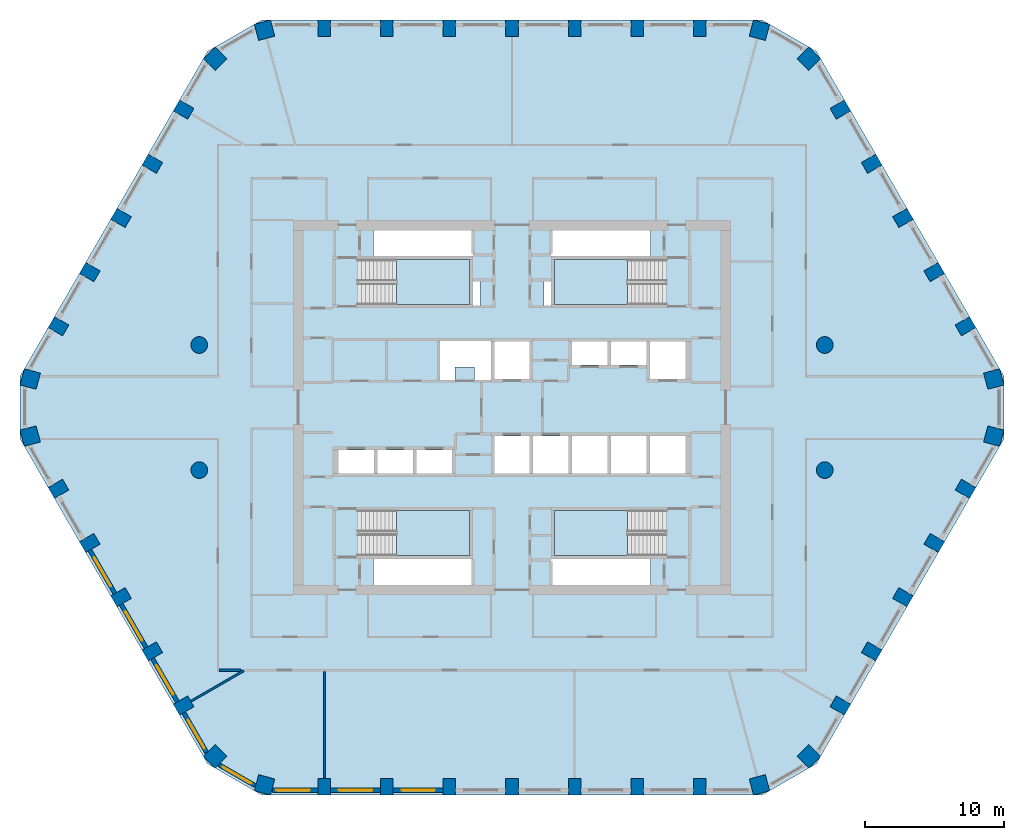
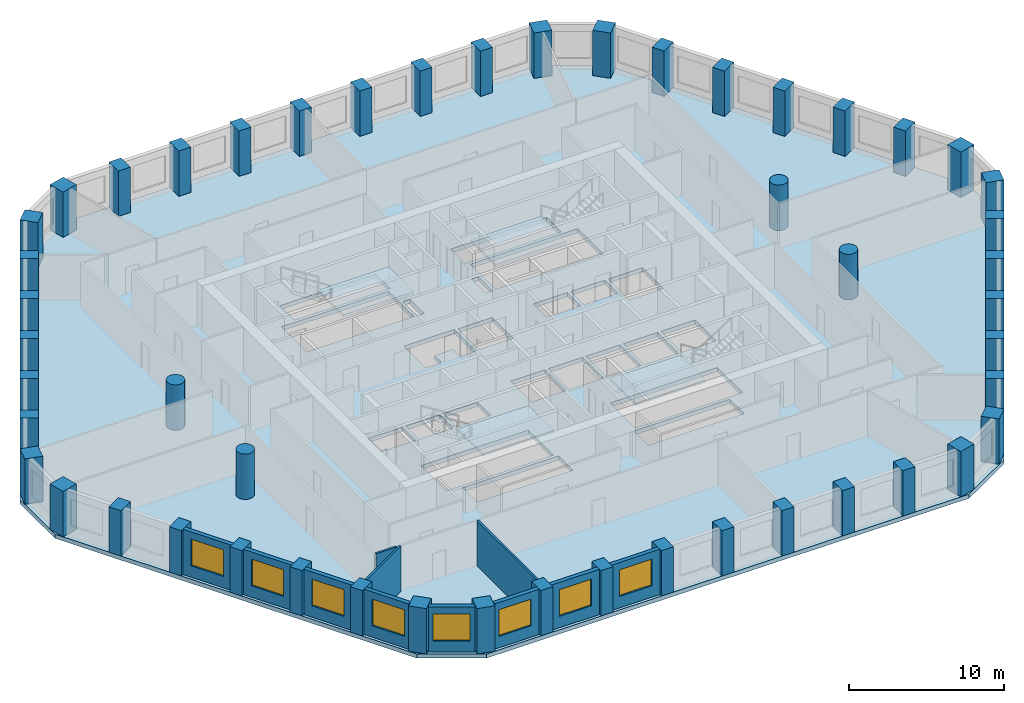
# One storey, part 1 of 10: 50 columns, 11 walls, 8 windows, 5 slabs, 8 openings, 4 elements without a shape of their own.
"""IFC4 building model written with IfcOpenShell, lengths in metres."""

from ifc_helpers import new_model, si_unit, direction, frame, frame_2d, origin, origin_2d, place, context, subcontext, project, spatial, polyline, rectangle, circle, outline, extrude, material, layer, layer_set, material_profile, profile_set, type_object, element, fill, aggregate, save


model = new_model("IFC4")

# Units and contexts
model_context = context("Model", 3, precision=1e-05, world=origin(), true_north=direction((0.0, 1.0)))
body_context = subcontext(model_context, "Body", "Model", "MODEL_VIEW")
ifc_project = project(units=[si_unit("LENGTHUNIT", "METRE"), si_unit("AREAUNIT", "SQUARE_METRE"), si_unit("VOLUMEUNIT", "CUBIC_METRE"), si_unit("PLANEANGLEUNIT", "RADIAN"), si_unit("MASSUNIT", "GRAM", prefix="KILO")], contexts=[model_context])

# Site, building, storey
site_placement = place(None, origin())
site = spatial("IfcSite", under=ifc_project, at=site_placement, CompositionType="ELEMENT")
building_placement = place(site_placement, origin())
building = spatial("IfcBuilding", under=site, at=building_placement, Name="Dhurran Vertical Campus", CompositionType="ELEMENT")
storey_placement = place(building_placement, frame((0.0, 0.0, 148.199951171875)))
storey = spatial("IfcBuildingStorey", under=building, at=storey_placement, Name="L36", CompositionType="ELEMENT", Elevation=148.199951171875)

# Columns
ifc_material_1 = material(Name="Concrete C60/75", Category="concrete")
ifc_material_profile_1 = material_profile(ifc_material_1, rectangle(XDim=1.199951171875, YDim=1.199951171875, at=origin_2d()), Name="RC 1200x1200")
ifc_profile_set_1 = profile_set([ifc_material_profile_1], Name="Concrete C60/75")
column_type_1 = type_object("IfcColumnType", Name="FR COL RC 1200x1200 C60/75", PredefinedType="COLUMN", material=ifc_profile_set_1)
for number, where, z_axis, x_axis, name in (
    (1, (-17.802978515625, -27.147705078125, 0.0), (0.0, 0.0, 1.0), (0.965925826289, -0.258819045103, 0.0), "Perimeter pier PP3.00"),
    (2, (17.802978515625, -27.147705078125, 0.0), (0.0, 0.0, 1.0), (0.965925826289, 0.258819045103, 0.0), "Perimeter pier PP3.08"),
    (3, (21.359130859375, -25.0947265625, 0.0), (0.0, 0.0, 1.0), (0.707106781187, 0.707106781187, 0.0), "Perimeter pier PP3.09"),
    (4, (34.662353515625, -2.052978515625, 0.0), (0.0, 0.0, 1.0), (0.258819045103, 0.965925826289, 0.0), "Perimeter pier PP3.15"),
    (5, (34.662353515625, 2.052978515625, 0.0), (0.0, 0.0, 1.0), (-0.258819045103, 0.965925826289, 0.0), "Perimeter pier PP3.16"),
    (6, (21.359130859375, 25.0947265625, 0.0), (0.0, 0.0, 1.0), (-0.707106781187, 0.707106781187, 0.0), "Perimeter pier PP3.22"),
    (7, (17.802978515625, 27.147705078125, 0.0), (0.0, 0.0, 1.0), (-0.965925826289, 0.258819045103, 0.0), "Perimeter pier PP3.23"),
    (8, (-17.802978515625, 27.147705078125, 0.0), (0.0, 0.0, 1.0), (-0.965925826289, -0.258819045103, 0.0), "Perimeter pier PP3.31"),
    (9, (-21.359130859375, 25.0947265625, 0.0), (0.0, 0.0, 1.0), (-0.707106781187, -0.707106781187, 0.0), "Perimeter pier PP3.32"),
    (10, (-34.662353515625, 2.052978515625, 0.0), (0.0, 0.0, 1.0), (-0.258819045103, -0.965925826289, 0.0), "Perimeter pier PP3.38"),
    (11, (-34.662353515625, -2.052978515625, 0.0), (0.0, 0.0, 1.0), (0.258819045103, -0.965925826289, 0.0), "Perimeter pier PP3.39"),
    (12, (-21.359130859375, -25.0947265625, 0.0), (0.0, 0.0, 1.0), (0.707106781187, -0.707106781187, 0.0), "Perimeter pier PP3.45"),
):
    element("IfcColumn", number, at=place(storey_placement, frame(where, z_axis=z_axis, x_axis=x_axis)), inside=storey, type_object=column_type_1, Name=name, PredefinedType="COLUMN", context=body_context, shape_type="SweptSolid", body=[
        extrude(rectangle(XDim=1.199951171875, YDim=1.199951171875, at=origin_2d()), origin(), (0.0, 0.0, 1.0), 3.574951171875),
    ])
ifc_material_2 = material(Name="Concrete C60/75", Category="concrete")
ifc_material_profile_2 = material_profile(ifc_material_2, rectangle(XDim=0.89990234375, YDim=1.199951171875, at=origin_2d()), Name="RC 900x1200")
ifc_profile_set_2 = profile_set([ifc_material_profile_2], Name="Concrete C60/75")
column_type_2 = type_object("IfcColumnType", Name="FR COL RC 900x1200 C60/75", PredefinedType="COLUMN", material=ifc_profile_set_2)
for number, where, z_axis, x_axis, name in (
    (13, (-13.5, -27.28271484375, 0.0), (0.0, 0.0, 1.0), (1.0, 0.0, 0.0), "Perimeter pier PP3.01"),
    (14, (-9.0, -27.28271484375, 0.0), (0.0, 0.0, 1.0), (1.0, 0.0, 0.0), "Perimeter pier PP3.02"),
    (15, (-4.5, -27.28271484375, 0.0), (0.0, 0.0, 1.0), (1.0, 0.0, 0.0), "Perimeter pier PP3.03"),
    (16, (0.0, -27.28271484375, 0.0), (0.0, 0.0, 1.0), (1.0, 0.0, 0.0), "Perimeter pier PP3.04"),
    (17, (4.5, -27.28271484375, 0.0), (0.0, 0.0, 1.0), (1.0, 0.0, 0.0), "Perimeter pier PP3.05"),
    (18, (9.0, -27.28271484375, 0.0), (0.0, 0.0, 1.0), (1.0, 0.0, 0.0), "Perimeter pier PP3.06"),
    (19, (13.5, -27.28271484375, 0.0), (0.0, 0.0, 1.0), (1.0, 0.0, 0.0), "Perimeter pier PP3.07"),
    (20, (23.62744140625, -21.435546875, 0.0), (0.0, 0.0, 1.0), (0.5, 0.866025403784, 0.0), "Perimeter pier PP3.10"),
    (21, (25.87744140625, -17.53857421875, 0.0), (0.0, 0.0, 1.0), (0.5, 0.866025403784, 0.0), "Perimeter pier PP3.11"),
    (22, (28.12744140625, -13.641357421875, 0.0), (0.0, 0.0, 1.0), (0.5, 0.866025403784, 0.0), "Perimeter pier PP3.12"),
    (23, (30.37744140625, -9.744140625, 0.0), (0.0, 0.0, 1.0), (0.5, 0.866025403784, 0.0), "Perimeter pier PP3.13"),
    (24, (32.62744140625, -5.84716796875, 0.0), (0.0, 0.0, 1.0), (0.5, 0.866025403784, 0.0), "Perimeter pier PP3.14"),
    (25, (32.62744140625, 5.84716796875, 0.0), (0.0, 0.0, 1.0), (-0.5, 0.866025403784, 0.0), "Perimeter pier PP3.17"),
    (26, (30.37744140625, 9.744140625, 0.0), (0.0, 0.0, 1.0), (-0.5, 0.866025403784, 0.0), "Perimeter pier PP3.18"),
    (27, (28.12744140625, 13.641357421875, 0.0), (0.0, 0.0, 1.0), (-0.5, 0.866025403784, 0.0), "Perimeter pier PP3.19"),
    (28, (25.87744140625, 17.53857421875, 0.0), (0.0, 0.0, 1.0), (-0.5, 0.866025403784, 0.0), "Perimeter pier PP3.20"),
    (29, (23.62744140625, 21.435546875, 0.0), (0.0, 0.0, 1.0), (-0.5, 0.866025403784, 0.0), "Perimeter pier PP3.21"),
    (30, (13.5, 27.28271484375, 0.0), (0.0, 0.0, 1.0), (-1.0, 0.0, 0.0), "Perimeter pier PP3.24"),
    (31, (9.0, 27.28271484375, 0.0), (0.0, 0.0, 1.0), (-1.0, 0.0, 0.0), "Perimeter pier PP3.25"),
    (32, (4.5, 27.28271484375, 0.0), (0.0, 0.0, 1.0), (-1.0, 0.0, 0.0), "Perimeter pier PP3.26"),
    (33, (0.0, 27.28271484375, 0.0), (0.0, 0.0, 1.0), (-1.0, 0.0, 0.0), "Perimeter pier PP3.27"),
    (34, (-4.5, 27.28271484375, 0.0), (0.0, 0.0, 1.0), (-1.0, 0.0, 0.0), "Perimeter pier PP3.28"),
    (35, (-9.0, 27.28271484375, 0.0), (0.0, 0.0, 1.0), (-1.0, 0.0, 0.0), "Perimeter pier PP3.29"),
    (36, (-13.5, 27.28271484375, 0.0), (0.0, 0.0, 1.0), (-1.0, 0.0, 0.0), "Perimeter pier PP3.30"),
    (37, (-23.62744140625, 21.435546875, 0.0), (0.0, 0.0, 1.0), (-0.5, -0.866025403784, 0.0), "Perimeter pier PP3.33"),
    (38, (-25.87744140625, 17.53857421875, 0.0), (0.0, 0.0, 1.0), (-0.5, -0.866025403784, 0.0), "Perimeter pier PP3.34"),
    (39, (-28.12744140625, 13.641357421875, 0.0), (0.0, 0.0, 1.0), (-0.5, -0.866025403784, 0.0), "Perimeter pier PP3.35"),
    (40, (-30.37744140625, 9.744140625, 0.0), (0.0, 0.0, 1.0), (-0.5, -0.866025403784, 0.0), "Perimeter pier PP3.36"),
    (41, (-32.62744140625, 5.84716796875, 0.0), (0.0, 0.0, 1.0), (-0.5, -0.866025403784, 0.0), "Perimeter pier PP3.37"),
    (42, (-32.62744140625, -5.84716796875, 0.0), (0.0, 0.0, 1.0), (0.5, -0.866025403784, 0.0), "Perimeter pier PP3.40"),
    (43, (-30.37744140625, -9.744140625, 0.0), (0.0, 0.0, 1.0), (0.5, -0.866025403784, 0.0), "Perimeter pier PP3.41"),
    (44, (-28.12744140625, -13.641357421875, 0.0), (0.0, 0.0, 1.0), (0.5, -0.866025403784, 0.0), "Perimeter pier PP3.42"),
    (45, (-25.87744140625, -17.53857421875, 0.0), (0.0, 0.0, 1.0), (0.5, -0.866025403784, 0.0), "Perimeter pier PP3.43"),
    (46, (-23.62744140625, -21.435546875, 0.0), (0.0, 0.0, 1.0), (0.5, -0.866025403784, 0.0), "Perimeter pier PP3.44"),
):
    element("IfcColumn", number, at=place(storey_placement, frame(where, z_axis=z_axis, x_axis=x_axis)), inside=storey, type_object=column_type_2, Name=name, PredefinedType="COLUMN", context=body_context, shape_type="SweptSolid", body=[
        extrude(rectangle(XDim=0.89990234375, YDim=1.199951171875, at=origin_2d()), origin(), (0.0, 0.0, 1.0), 3.574951171875),
    ])
ifc_material_3 = material(Name="Concrete C60/75", Category="concrete")
ifc_material_profile_3 = material_profile(ifc_material_3, circle(Radius=0.60009765625, at=origin_2d()), Name="RCC D1200")
ifc_profile_set_3 = profile_set([ifc_material_profile_3], Name="Concrete C60/75")
column_type_3 = type_object("IfcColumnType", Name="FR COL RCC D1200 C60/75", PredefinedType="COLUMN", material=ifc_profile_set_3)
for number, where, z_axis, x_axis, name in (
    (47, (-22.5, -4.5, 0.0), (0.0, 0.0, 1.0), (1.0, 0.0, 0.0), "Inner column IC3-D5"),
    (48, (-22.5, 4.5, 0.0), (0.0, 0.0, 1.0), (1.0, 0.0, 0.0), "Inner column IC3-D6"),
    (49, (22.5, -4.5, 0.0), (0.0, 0.0, 1.0), (1.0, 0.0, 0.0), "Inner column IC3-J5"),
    (50, (22.5, 4.5, 0.0), (0.0, 0.0, 1.0), (1.0, 0.0, 0.0), "Inner column IC3-J6"),
):
    element("IfcColumn", number, at=place(storey_placement, frame(where, z_axis=z_axis, x_axis=x_axis)), inside=storey, type_object=column_type_3, Name=name, PredefinedType="COLUMN", context=body_context, shape_type="SweptSolid", body=[
        extrude(circle(Radius=0.60009765625, at=origin_2d()), origin(), (0.0, 0.0, 1.0), 3.574951171875),
    ])

# Slab
ifc_material_4 = material(Name="Concrete C40/50", Category="concrete")
ifc_layer_1 = layer(ifc_material_4, 0.324951171875)
ifc_layer_set_1 = layer_set([ifc_layer_1], Name="Concrete C40/50")
slab_type_1 = type_object("IfcSlabType", Name="FR POST-TENSIONED FLAT SLAB 325", PredefinedType="FLOOR", material=ifc_layer_set_1)
slab_1_placement = place(storey_placement, frame((0.0, 0.0, -0.324951171875)))
element("IfcSlab", 51, at=slab_1_placement, inside=storey, type_object=slab_type_1, Name="Floor slab L36", PredefinedType="FLOOR", context=body_context, shape_type="SweptSolid", body=[
    extrude(outline(polyline([(-18.0, -27.8828125), (18.0, -27.8828125), (21.897216796875, -25.6328125), (35.397216796875, -2.25), (35.397216796875, 2.25), (21.897216796875, 25.6328125), (18.0, 27.8828125), (-18.0, 27.8828125), (-21.897216796875, 25.6328125), (-35.397216796875, 2.25), (-35.397216796875, -2.25), (-21.897216796875, -25.6328125), (-18.0, -27.8828125)]), holes=[polyline([(-1.27490234375, 2.050048828125), (1.27490234375, 2.050048828125), (1.27490234375, 4.75), (-1.27490234375, 4.75), (-1.27490234375, 2.050048828125)]), polyline([(9.925048828125, 2.050048828125), (12.47509765625, 2.050048828125), (12.47509765625, 4.75), (9.925048828125, 4.75), (9.925048828125, 2.050048828125)]), polyline([(-1.27490234375, -4.75), (1.27490234375, -4.75), (1.27490234375, -2.050048828125), (-1.27490234375, -2.050048828125), (-1.27490234375, -4.75)]), polyline([(1.52490234375, -4.75), (4.074951171875, -4.75), (4.074951171875, -2.050048828125), (1.52490234375, -2.050048828125), (1.52490234375, -4.75)]), polyline([(4.324951171875, -4.75), (6.875, -4.75), (6.875, -2.050048828125), (4.324951171875, -2.050048828125), (4.324951171875, -4.75)]), polyline([(7.125, -4.75), (9.675048828125, -4.75), (9.675048828125, -2.050048828125), (7.125, -2.050048828125), (7.125, -4.75)]), polyline([(9.925048828125, -4.75), (12.47509765625, -4.75), (12.47509765625, -2.050048828125), (9.925048828125, -2.050048828125), (9.925048828125, -4.75)]), polyline([(4.324951171875, 3.050048828125), (6.875, 3.050048828125), (6.875, 4.75), (4.324951171875, 4.75), (4.324951171875, 3.050048828125)]), polyline([(7.125, 3.050048828125), (9.675048828125, 3.050048828125), (9.675048828125, 4.75), (7.125, 4.75), (7.125, 3.050048828125)]), polyline([(-12.47509765625, -4.75), (-9.925048828125, -4.75), (-9.925048828125, -3.050048828125), (-12.47509765625, -3.050048828125), (-12.47509765625, -4.75)]), polyline([(-9.675048828125, -4.75), (-7.125, -4.75), (-7.125, -3.050048828125), (-9.675048828125, -3.050048828125), (-9.675048828125, -4.75)]), polyline([(-6.875, -4.75), (-4.324951171875, -4.75), (-4.324951171875, -3.050048828125), (-6.875, -3.050048828125), (-6.875, -4.75)]), polyline([(-11.050048828125, 7.39990234375), (-3.050048828125, 7.39990234375), (-3.050048828125, 10.64990234375), (-11.050048828125, 10.64990234375), (-11.050048828125, 7.39990234375)]), polyline([(3.050048828125, 7.39990234375), (11.050048828125, 7.39990234375), (11.050048828125, 10.64990234375), (3.050048828125, 10.64990234375), (3.050048828125, 7.39990234375)]), polyline([(-11.050048828125, -10.64990234375), (-3.050048828125, -10.64990234375), (-3.050048828125, -7.39990234375), (-11.050048828125, -7.39990234375), (-11.050048828125, -10.64990234375)]), polyline([(3.050048828125, -10.64990234375), (11.050048828125, -10.64990234375), (11.050048828125, -7.39990234375), (3.050048828125, -7.39990234375), (3.050048828125, -10.64990234375)]), polyline([(-9.949951171875, 10.89990234375), (-9.949951171875, 12.75), (-2.800048828125, 12.75), (-2.800048828125, 10.89990234375), (-9.949951171875, 10.89990234375)]), polyline([(9.949951171875, 12.75), (9.949951171875, 10.89990234375), (2.800048828125, 10.89990234375), (2.800048828125, 12.75), (9.949951171875, 12.75)]), polyline([(-9.949951171875, -12.75), (-9.949951171875, -10.89990234375), (-2.800048828125, -10.89990234375), (-2.800048828125, -12.75), (-9.949951171875, -12.75)]), polyline([(9.949951171875, -10.89990234375), (9.949951171875, -12.75), (2.800048828125, -12.75), (2.800048828125, -10.89990234375), (9.949951171875, -10.89990234375)]), polyline([(-2.300048828125, 9.18603515625), (-2.300048828125, 7.35009765625), (-2.800048828125, 7.35009765625), (-2.800048828125, 9.18603515625), (-2.300048828125, 9.18603515625)]), polyline([(2.300048828125, 7.35009765625), (2.300048828125, 9.18603515625), (2.800048828125, 9.18603515625), (2.800048828125, 7.35009765625), (2.300048828125, 7.35009765625)]), polyline([(-1.52490234375, 4.800048828125), (-1.52490234375, 2.0), (-2.701904296875, 2.0), (-2.701904296875, 2.89990234375), (-4.101806640625, 2.89990234375), (-4.101806640625, 2.0), (-5.27880859375, 2.0), (-5.27880859375, 4.800048828125), (-1.52490234375, 4.800048828125)])]), origin(), (0.0, 0.0, 1.0), 0.324951171875),
])

# Stair, slab
ifc_material_5 = material(Name="Concrete C40/50", Category="concrete")
stair_type = type_object("IfcStairType", Name="co-ST-CORE", PredefinedType="HALF_TURN_STAIR", material=ifc_material_5)
stair_1_placement = place(storey_placement, origin())
stair_1 = element("IfcStair", 52, at=stair_1_placement, inside=storey, type_object=stair_type, Name="L36 Protected exit stair ST1", PredefinedType="HALF_TURN_STAIR")
ifc_material_6 = material(Name="Concrete C40/50", Category="concrete")
ifc_layer_2 = layer(ifc_material_6, 0.199951171875)
ifc_layer_set_2 = layer_set([ifc_layer_2], Name="Concrete C40/50")
slab_type_2 = type_object("IfcSlabType", Name="co-SL-LANDING", PredefinedType="LANDING", material=ifc_layer_set_2)
slab_2_placement = place(storey_placement, frame((0.0, 0.0, 1.75)))
slab_2 = element("IfcSlab", 53, at=slab_2_placement, type_object=slab_type_2, Name="ST1 landing 1", PredefinedType="LANDING", context=body_context, shape_type="SweptSolid", body=[
    extrude(outline(polyline([(-8.300048828125, 7.39990234375), (-3.050048828125, 7.39990234375), (-3.050048828125, 10.64990234375), (-8.300048828125, 10.64990234375), (-8.300048828125, 7.39990234375)])), origin(), (0.0, 0.0, 1.0), 0.199951171875),
])
aggregate(stair_1, [slab_2])

stair_2_placement = place(storey_placement, origin())
stair_2 = element("IfcStair", 54, at=stair_2_placement, inside=storey, type_object=stair_type, Name="L36 Protected exit stair ST2", PredefinedType="HALF_TURN_STAIR")
slab_3_placement = place(storey_placement, frame((0.0, 0.0, 1.75)))
slab_3 = element("IfcSlab", 55, at=slab_3_placement, type_object=slab_type_2, Name="ST2 landing 1", PredefinedType="LANDING", context=body_context, shape_type="SweptSolid", body=[
    extrude(outline(polyline([(8.300048828125, 10.64990234375), (3.050048828125, 10.64990234375), (3.050048828125, 7.39990234375), (8.300048828125, 7.39990234375), (8.300048828125, 10.64990234375)])), origin(), (0.0, 0.0, 1.0), 0.199951171875),
])
aggregate(stair_2, [slab_3])

stair_3_placement = place(storey_placement, origin())
stair_3 = element("IfcStair", 56, at=stair_3_placement, inside=storey, type_object=stair_type, Name="L36 Protected exit stair ST3", PredefinedType="HALF_TURN_STAIR")
slab_4_placement = place(storey_placement, frame((0.0, 0.0, 1.75)))
slab_4 = element("IfcSlab", 57, at=slab_4_placement, type_object=slab_type_2, Name="ST3 landing 1", PredefinedType="LANDING", context=body_context, shape_type="SweptSolid", body=[
    extrude(outline(polyline([(-8.300048828125, -10.64990234375), (-3.050048828125, -10.64990234375), (-3.050048828125, -7.39990234375), (-8.300048828125, -7.39990234375), (-8.300048828125, -10.64990234375)])), origin(), (0.0, 0.0, 1.0), 0.199951171875),
])
aggregate(stair_3, [slab_4])

stair_4_placement = place(storey_placement, origin())
stair_4 = element("IfcStair", 58, at=stair_4_placement, inside=storey, type_object=stair_type, Name="L36 Protected exit stair ST4", PredefinedType="HALF_TURN_STAIR")
slab_5_placement = place(storey_placement, frame((0.0, 0.0, 1.75)))
slab_5 = element("IfcSlab", 59, at=slab_5_placement, type_object=slab_type_2, Name="ST4 landing 1", PredefinedType="LANDING", context=body_context, shape_type="SweptSolid", body=[
    extrude(outline(polyline([(8.300048828125, -7.39990234375), (3.050048828125, -7.39990234375), (3.050048828125, -10.64990234375), (8.300048828125, -10.64990234375), (8.300048828125, -7.39990234375)])), origin(), (0.0, 0.0, 1.0), 0.199951171875),
])
aggregate(stair_4, [slab_5])

# Wall, opening, window
ifc_material_7 = material(Name="Precast concrete C50/60", Category="concrete")
ifc_layer_3 = layer(ifc_material_7, 0.300048828125)
ifc_layer_set_3 = layer_set([ifc_layer_3], Name="Precast concrete C50/60")
wall_type_1 = type_object("IfcWallType", Name="Precast spandrel wall 300", PredefinedType="SOLIDWALL", material=ifc_layer_set_3)
wall_1_placement = place(storey_placement, frame((-17.24462890625, -27.53271484375, 0.0), z_axis=(0.0, 0.0, 1.0), x_axis=(1.0, 0.0, 0.0)))
wall_1 = element("IfcWall", 60, at=wall_1_placement, inside=storey, type_object=wall_type_1, Name="EW1 L36.00", PredefinedType="SOLIDWALL", context=body_context, shape_type="SweptSolid", body=[
    extrude(rectangle(XDim=3.294189453125, YDim=0.300048828125, at=frame_2d((1.64697265625, 0.0))), origin(), (0.0, 0.0, 1.0), 3.574951171875),
])
opening_1_placement = place(wall_1_placement, frame((0.294677734375, 0.0, 0.89990234375)))
opening_1 = element("IfcOpeningElement", 61, at=opening_1_placement, cuts=wall_1, Name="Opening WT1", PredefinedType="OPENING", context=body_context, shape_type="SweptSolid", body=[
    extrude(rectangle(XDim=2.39990234375, YDim=2.10009765625, at=frame_2d((1.199951171875, 1.050048828125))), frame((0.0, 0.159912109375, 0.0), z_axis=(0.0, -1.0, 0.0), x_axis=(1.0, 0.0, 0.0)), (0.0, 0.0, 1.0), 0.320068359375),
])
ifc_material_8 = material(Name="Aluminium frame with solar-control glass", Category="aluminium")
window_type = type_object("IfcWindowType", Name="Punched window 2400 x 2100", PartitioningType="SINGLE_PANEL", PredefinedType="WINDOW", material=ifc_material_8)
window_1_placement = place(opening_1_placement, origin())
window_1 = element("IfcWindow", 62, at=window_1_placement, inside=storey, type_object=window_type, Name="WT1 L36.00", OverallHeight=2.10009765625, OverallWidth=2.39990234375, PartitioningType="SINGLE_PANEL", PredefinedType="WINDOW", context=body_context, shape_type="SweptSolid", body=[
    extrude(rectangle(XDim=2.39990234375, YDim=2.10009765625, at=frame_2d((1.199951171875, 1.050048828125))), frame((0.0, 0.030029296875, 0.0), z_axis=(0.0, -1.0, 0.0), x_axis=(1.0, 0.0, 0.0)), (0.0, 0.0, 1.0), 0.06005859375),
])
fill(opening_1, window_1)

wall_2_placement = place(storey_placement, frame((-13.049560546875, -27.53271484375, 0.0), z_axis=(0.0, 0.0, 1.0), x_axis=(1.0, 0.0, 0.0)))
wall_2 = element("IfcWall", 63, at=wall_2_placement, inside=storey, type_object=wall_type_1, Name="EW1 L36.01", PredefinedType="SOLIDWALL", context=body_context, shape_type="SweptSolid", body=[
    extrude(rectangle(XDim=3.59912109375, YDim=0.300048828125, at=frame_2d((1.799560546875, 0.0))), origin(), (0.0, 0.0, 1.0), 3.574951171875),
])
opening_2_placement = place(wall_2_placement, frame((0.599609375, 0.0, 0.89990234375)))
opening_2 = element("IfcOpeningElement", 64, at=opening_2_placement, cuts=wall_2, Name="Opening WT1", PredefinedType="OPENING", context=body_context, shape_type="SweptSolid", body=[
    extrude(rectangle(XDim=2.39990234375, YDim=2.10009765625, at=frame_2d((1.199951171875, 1.050048828125))), frame((0.0, 0.159912109375, 0.0), z_axis=(0.0, -1.0, 0.0), x_axis=(1.0, 0.0, 0.0)), (0.0, 0.0, 1.0), 0.320068359375),
])
window_2_placement = place(opening_2_placement, origin())
window_2 = element("IfcWindow", 65, at=window_2_placement, inside=storey, type_object=window_type, Name="WT1 L36.01", OverallHeight=2.10009765625, OverallWidth=2.39990234375, PartitioningType="SINGLE_PANEL", PredefinedType="WINDOW", context=body_context, shape_type="SweptSolid", body=[
    extrude(rectangle(XDim=2.39990234375, YDim=2.10009765625, at=frame_2d((1.199951171875, 1.050048828125))), frame((0.0, 0.030029296875, 0.0), z_axis=(0.0, -1.0, 0.0), x_axis=(1.0, 0.0, 0.0)), (0.0, 0.0, 1.0), 0.06005859375),
])
fill(opening_2, window_2)

wall_3_placement = place(storey_placement, frame((-8.549560546875, -27.53271484375, 0.0), z_axis=(0.0, 0.0, 1.0), x_axis=(1.0, 0.0, 0.0)))
wall_3 = element("IfcWall", 66, at=wall_3_placement, inside=storey, type_object=wall_type_1, Name="EW1 L36.02", PredefinedType="SOLIDWALL", context=body_context, shape_type="SweptSolid", body=[
    extrude(rectangle(XDim=3.59912109375, YDim=0.300048828125, at=frame_2d((1.799560546875, 0.0))), origin(), (0.0, 0.0, 1.0), 3.574951171875),
])
opening_3_placement = place(wall_3_placement, frame((0.599609375, 0.0, 0.89990234375)))
opening_3 = element("IfcOpeningElement", 67, at=opening_3_placement, cuts=wall_3, Name="Opening WT1", PredefinedType="OPENING", context=body_context, shape_type="SweptSolid", body=[
    extrude(rectangle(XDim=2.39990234375, YDim=2.10009765625, at=frame_2d((1.199951171875, 1.050048828125))), frame((0.0, 0.159912109375, 0.0), z_axis=(0.0, -1.0, 0.0), x_axis=(1.0, 0.0, 0.0)), (0.0, 0.0, 1.0), 0.320068359375),
])
window_3_placement = place(opening_3_placement, origin())
window_3 = element("IfcWindow", 68, at=window_3_placement, inside=storey, type_object=window_type, Name="WT1 L36.02", OverallHeight=2.10009765625, OverallWidth=2.39990234375, PartitioningType="SINGLE_PANEL", PredefinedType="WINDOW", context=body_context, shape_type="SweptSolid", body=[
    extrude(rectangle(XDim=2.39990234375, YDim=2.10009765625, at=frame_2d((1.199951171875, 1.050048828125))), frame((0.0, 0.030029296875, 0.0), z_axis=(0.0, -1.0, 0.0), x_axis=(1.0, 0.0, 0.0)), (0.0, 0.0, 1.0), 0.06005859375),
])
fill(opening_3, window_3)

wall_4_placement = place(storey_placement, frame((-30.368896484375, -10.259521484375, 0.0), z_axis=(0.0, 0.0, 1.0), x_axis=(0.500027802648, -0.866009351323, 0.0)))
wall_4 = element("IfcWall", 69, at=wall_4_placement, inside=storey, type_object=wall_type_1, Name="EW1 L36.41", PredefinedType="SOLIDWALL", context=body_context, shape_type="SweptSolid", body=[
    extrude(rectangle(XDim=3.598876953125, YDim=0.300048828125, at=frame_2d((1.79931640625, 0.0))), origin(), (0.0, 0.0, 1.0), 3.574951171875),
])
opening_4_placement = place(wall_4_placement, frame((0.599609375, 0.0, 0.89990234375)))
opening_4 = element("IfcOpeningElement", 70, at=opening_4_placement, cuts=wall_4, Name="Opening WT1", PredefinedType="OPENING", context=body_context, shape_type="SweptSolid", body=[
    extrude(rectangle(XDim=2.39990234375, YDim=2.10009765625, at=frame_2d((1.199951171875, 1.050048828125))), frame((0.0, 0.159912109375, 0.0), z_axis=(0.0, -1.0, 0.0), x_axis=(1.0, 0.0, 0.0)), (0.0, 0.0, 1.0), 0.320068359375),
])
window_4_placement = place(opening_4_placement, origin())
window_4 = element("IfcWindow", 71, at=window_4_placement, inside=storey, type_object=window_type, Name="WT1 L36.41", OverallHeight=2.10009765625, OverallWidth=2.39990234375, PartitioningType="SINGLE_PANEL", PredefinedType="WINDOW", context=body_context, shape_type="SweptSolid", body=[
    extrude(rectangle(XDim=2.39990234375, YDim=2.10009765625, at=frame_2d((1.199951171875, 1.050048828125))), frame((0.0, 0.030029296875, 0.0), z_axis=(0.0, -1.0, 0.0), x_axis=(1.0, 0.0, 0.0)), (0.0, 0.0, 1.0), 0.06005859375),
])
fill(opening_4, window_4)

wall_5_placement = place(storey_placement, frame((-28.118896484375, -14.156494140625, 0.0), z_axis=(0.0, 0.0, 1.0), x_axis=(0.500027802648, -0.866009351323, 0.0)))
wall_5 = element("IfcWall", 72, at=wall_5_placement, inside=storey, type_object=wall_type_1, Name="EW1 L36.42", PredefinedType="SOLIDWALL", context=body_context, shape_type="SweptSolid", body=[
    extrude(rectangle(XDim=3.598876953125, YDim=0.300048828125, at=frame_2d((1.79931640625, 0.0))), origin(), (0.0, 0.0, 1.0), 3.574951171875),
])
opening_5_placement = place(wall_5_placement, frame((0.599609375, 0.0, 0.89990234375)))
opening_5 = element("IfcOpeningElement", 73, at=opening_5_placement, cuts=wall_5, Name="Opening WT1", PredefinedType="OPENING", context=body_context, shape_type="SweptSolid", body=[
    extrude(rectangle(XDim=2.39990234375, YDim=2.10009765625, at=frame_2d((1.199951171875, 1.050048828125))), frame((0.0, 0.159912109375, 0.0), z_axis=(0.0, -1.0, 0.0), x_axis=(1.0, 0.0, 0.0)), (0.0, 0.0, 1.0), 0.320068359375),
])
window_5_placement = place(opening_5_placement, origin())
window_5 = element("IfcWindow", 74, at=window_5_placement, inside=storey, type_object=window_type, Name="WT1 L36.42", OverallHeight=2.10009765625, OverallWidth=2.39990234375, PartitioningType="SINGLE_PANEL", PredefinedType="WINDOW", context=body_context, shape_type="SweptSolid", body=[
    extrude(rectangle(XDim=2.39990234375, YDim=2.10009765625, at=frame_2d((1.199951171875, 1.050048828125))), frame((0.0, 0.030029296875, 0.0), z_axis=(0.0, -1.0, 0.0), x_axis=(1.0, 0.0, 0.0)), (0.0, 0.0, 1.0), 0.06005859375),
])
fill(opening_5, window_5)

wall_6_placement = place(storey_placement, frame((-25.868896484375, -18.0537109375, 0.0), z_axis=(0.0, 0.0, 1.0), x_axis=(0.500027802648, -0.866009351323, 0.0)))
wall_6 = element("IfcWall", 75, at=wall_6_placement, inside=storey, type_object=wall_type_1, Name="EW1 L36.43", PredefinedType="SOLIDWALL", context=body_context, shape_type="SweptSolid", body=[
    extrude(rectangle(XDim=3.598876953125, YDim=0.300048828125, at=frame_2d((1.79931640625, 0.0))), origin(), (0.0, 0.0, 1.0), 3.574951171875),
])
opening_6_placement = place(wall_6_placement, frame((0.599609375, 0.0, 0.89990234375)))
opening_6 = element("IfcOpeningElement", 76, at=opening_6_placement, cuts=wall_6, Name="Opening WT1", PredefinedType="OPENING", context=body_context, shape_type="SweptSolid", body=[
    extrude(rectangle(XDim=2.39990234375, YDim=2.10009765625, at=frame_2d((1.199951171875, 1.050048828125))), frame((0.0, 0.159912109375, 0.0), z_axis=(0.0, -1.0, 0.0), x_axis=(1.0, 0.0, 0.0)), (0.0, 0.0, 1.0), 0.320068359375),
])
window_6_placement = place(opening_6_placement, origin())
window_6 = element("IfcWindow", 77, at=window_6_placement, inside=storey, type_object=window_type, Name="WT1 L36.43", OverallHeight=2.10009765625, OverallWidth=2.39990234375, PartitioningType="SINGLE_PANEL", PredefinedType="WINDOW", context=body_context, shape_type="SweptSolid", body=[
    extrude(rectangle(XDim=2.39990234375, YDim=2.10009765625, at=frame_2d((1.199951171875, 1.050048828125))), frame((0.0, 0.030029296875, 0.0), z_axis=(0.0, -1.0, 0.0), x_axis=(1.0, 0.0, 0.0)), (0.0, 0.0, 1.0), 0.06005859375),
])
fill(opening_6, window_6)

wall_7_placement = place(storey_placement, frame((-23.618896484375, -21.95068359375, 0.0), z_axis=(0.0, 0.0, 1.0), x_axis=(0.500036802197, -0.866004154983, 0.0)))
wall_7 = element("IfcWall", 78, at=wall_7_placement, inside=storey, type_object=wall_type_1, Name="EW1 L36.44", PredefinedType="SOLIDWALL", context=body_context, shape_type="SweptSolid", body=[
    extrude(rectangle(XDim=3.294189453125, YDim=0.300048828125, at=frame_2d((1.64697265625, 0.0))), origin(), (0.0, 0.0, 1.0), 3.574951171875),
])
opening_7_placement = place(wall_7_placement, frame((0.599609375, 0.0, 0.89990234375)))
opening_7 = element("IfcOpeningElement", 79, at=opening_7_placement, cuts=wall_7, Name="Opening WT1", PredefinedType="OPENING", context=body_context, shape_type="SweptSolid", body=[
    extrude(rectangle(XDim=2.39990234375, YDim=2.10009765625, at=frame_2d((1.199951171875, 1.050048828125))), frame((0.0, 0.159912109375, 0.0), z_axis=(0.0, -1.0, 0.0), x_axis=(1.0, 0.0, 0.0)), (0.0, 0.0, 1.0), 0.320068359375),
])
window_7_placement = place(opening_7_placement, origin())
window_7 = element("IfcWindow", 80, at=window_7_placement, inside=storey, type_object=window_type, Name="WT1 L36.44", OverallHeight=2.10009765625, OverallWidth=2.39990234375, PartitioningType="SINGLE_PANEL", PredefinedType="WINDOW", context=body_context, shape_type="SweptSolid", body=[
    extrude(rectangle(XDim=2.39990234375, YDim=2.10009765625, at=frame_2d((1.199951171875, 1.050048828125))), frame((0.0, 0.030029296875, 0.0), z_axis=(0.0, -1.0, 0.0), x_axis=(1.0, 0.0, 0.0)), (0.0, 0.0, 1.0), 0.06005859375),
])
fill(opening_7, window_7)

wall_8_placement = place(storey_placement, frame((-21.06787109375, -25.707275390625, 0.0), z_axis=(0.0, 0.0, 1.0), x_axis=(0.866012844897, -0.500021752, 0.0)))
wall_8 = element("IfcWall", 81, at=wall_8_placement, inside=storey, type_object=wall_type_1, Name="EW1 L36.45", PredefinedType="SOLIDWALL", context=body_context, shape_type="SweptSolid", body=[
    extrude(rectangle(XDim=2.989013671875, YDim=0.300048828125, at=frame_2d((1.49462890625, 0.0))), origin(), (0.0, 0.0, 1.0), 3.574951171875),
])
opening_8_placement = place(wall_8_placement, frame((0.294677734375, 0.0, 0.89990234375)))
opening_8 = element("IfcOpeningElement", 82, at=opening_8_placement, cuts=wall_8, Name="Opening WT1", PredefinedType="OPENING", context=body_context, shape_type="SweptSolid", body=[
    extrude(rectangle(XDim=2.39990234375, YDim=2.10009765625, at=frame_2d((1.199951171875, 1.050048828125))), frame((0.0, 0.159912109375, 0.0), z_axis=(0.0, -1.0, 0.0), x_axis=(1.0, 0.0, 0.0)), (0.0, 0.0, 1.0), 0.320068359375),
])
window_8_placement = place(opening_8_placement, origin())
window_8 = element("IfcWindow", 83, at=window_8_placement, inside=storey, type_object=window_type, Name="WT1 L36.45", OverallHeight=2.10009765625, OverallWidth=2.39990234375, PartitioningType="SINGLE_PANEL", PredefinedType="WINDOW", context=body_context, shape_type="SweptSolid", body=[
    extrude(rectangle(XDim=2.39990234375, YDim=2.10009765625, at=frame_2d((1.199951171875, 1.050048828125))), frame((0.0, 0.030029296875, 0.0), z_axis=(0.0, -1.0, 0.0), x_axis=(1.0, 0.0, 0.0)), (0.0, 0.0, 1.0), 0.06005859375),
])
fill(opening_8, window_8)

# Walls
ifc_material_9 = material(Name="Gypsum board corridor wall on steel studs", Category="steel")
ifc_layer_4 = layer(ifc_material_9, 0.14990234375)
ifc_layer_set_4 = layer_set([ifc_layer_4], Name="Gypsum board corridor wall on steel studs")
wall_type_2 = type_object("IfcWallType", Name="fl-CW-150 corridor wall", PredefinedType="PARTITIONING", material=ifc_layer_set_4)
wall_9_placement = place(storey_placement, frame((-21.074951171875, -18.89990234375, 0.0), z_axis=(0.0, 0.0, 1.0), x_axis=(1.0, 0.0, 0.0)))
element("IfcWall", 84, at=wall_9_placement, inside=storey, type_object=wall_type_2, Name="Partition 36-06", PredefinedType="PARTITIONING", context=body_context, shape_type="SweptSolid", body=[
    extrude(rectangle(XDim=1.56396484375, YDim=0.14990234375, at=frame_2d((0.781982421875, 0.0))), origin(), (0.0, 0.0, 1.0), 3.574951171875),
])
ifc_material_10 = material(Name="Folding acoustic partition panels")
ifc_layer_5 = layer(ifc_material_10, 0.14990234375)
ifc_layer_set_5 = layer_set([ifc_layer_5], Name="Folding acoustic partition panels")
wall_type_3 = type_object("IfcWallType", Name="fl-MW-150 movable partition", PredefinedType="MOVABLE", material=ifc_layer_set_5)
wall_10_placement = place(storey_placement, frame((-19.30078125, -18.9375, 0.0), z_axis=(0.0, 0.0, 1.0), x_axis=(-0.865968165673, -0.500099126214, 0.0)))
element("IfcWall", 85, at=wall_10_placement, inside=storey, type_object=wall_type_3, Name="Partition 36-03", PredefinedType="MOVABLE", context=body_context, shape_type="SweptSolid", body=[
    extrude(rectangle(XDim=4.3759765625, YDim=0.14990234375, at=frame_2d((2.18798828125, 0.0))), origin(), (0.0, 0.0, 1.0), 3.574951171875),
])
ifc_material_11 = material(Name="Gypsum board partition on steel studs", Category="steel")
ifc_layer_6 = layer(ifc_material_11, 0.14990234375)
ifc_layer_set_6 = layer_set([ifc_layer_6], Name="Gypsum board partition on steel studs")
wall_type_4 = type_object("IfcWallType", Name="fl-PW-150 fixed partition", PredefinedType="PARTITIONING", material=ifc_layer_set_6)
wall_11_placement = place(storey_placement, frame((-13.5, -18.97509765625, 0.0), z_axis=(0.0, 0.0, 1.0), x_axis=(0.0, -1.0, 0.0)))
element("IfcWall", 86, at=wall_11_placement, inside=storey, type_object=wall_type_4, Name="Partition 36-25", PredefinedType="PARTITIONING", context=body_context, shape_type="SweptSolid", body=[
    extrude(rectangle(XDim=7.6875, YDim=0.14990234375, at=frame_2d((3.84375, 0.0))), origin(), (0.0, 0.0, 1.0), 3.574951171875),
])

save(model, "model.ifc")
